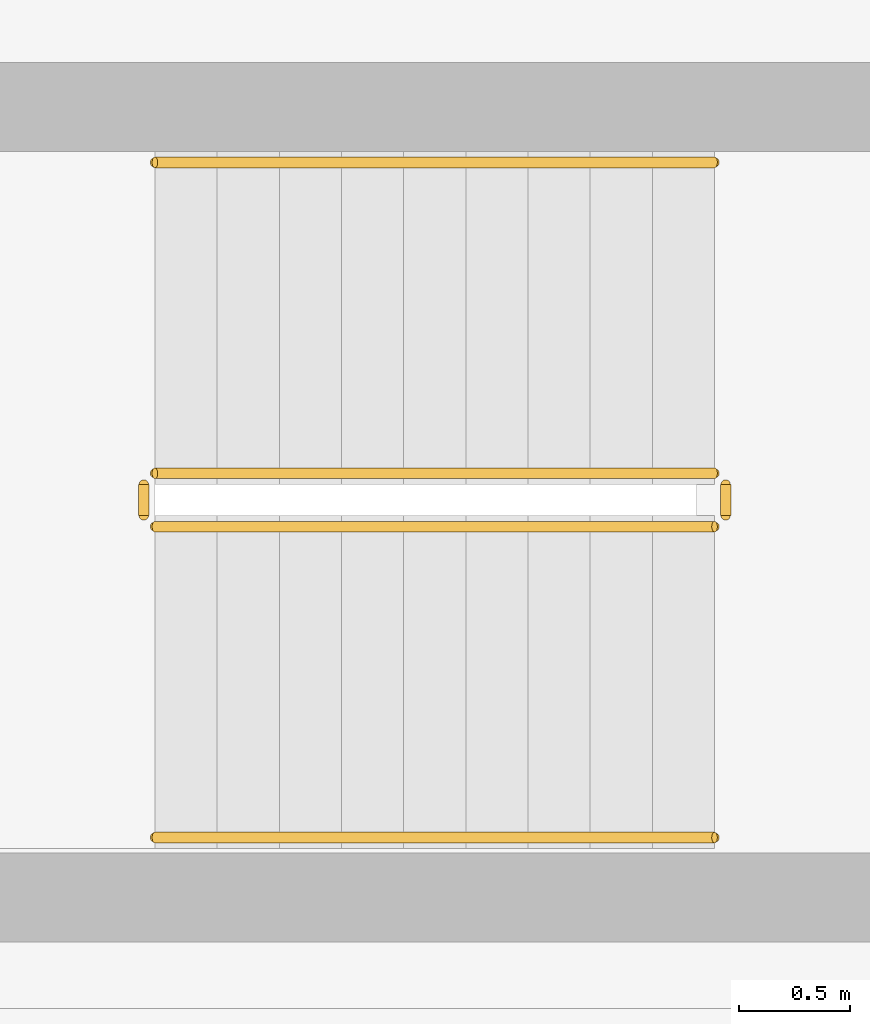
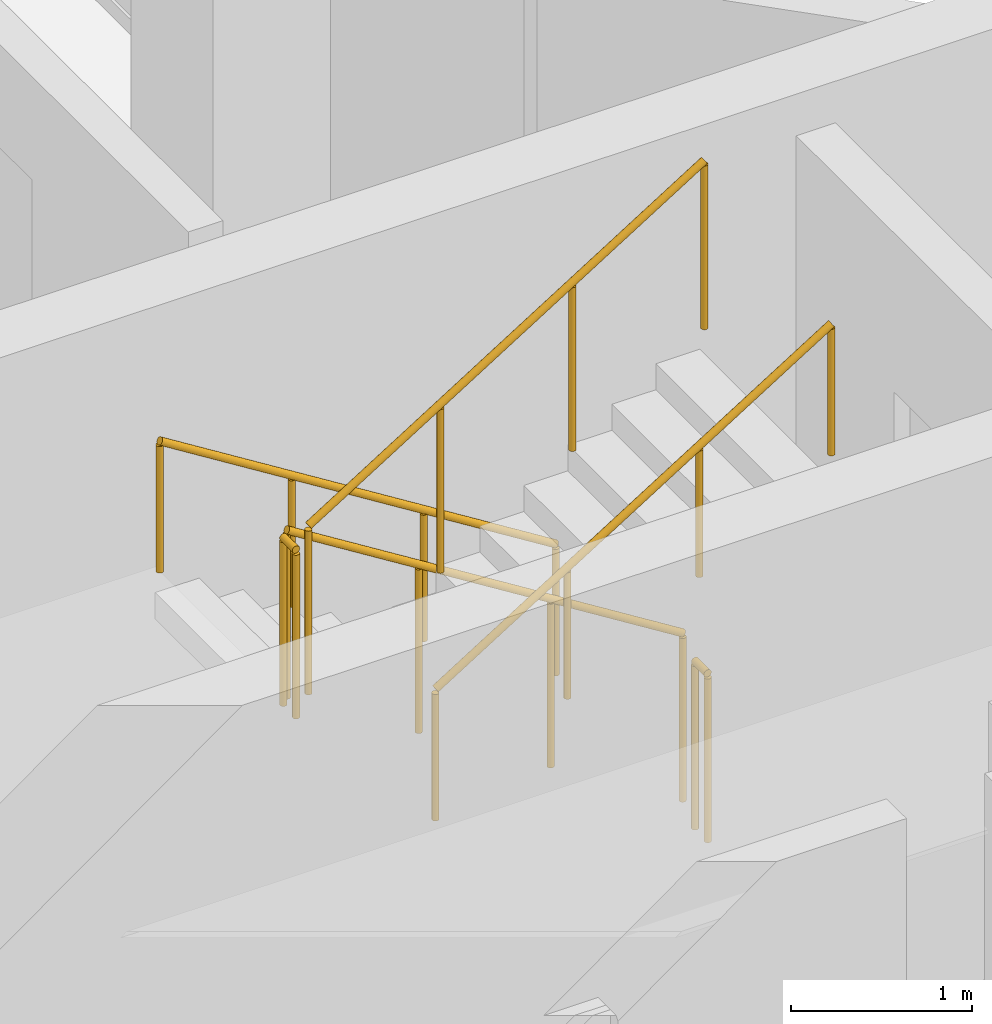
# One storey, part 11 of 14: 6 railings.
"""IFC4 building model written with IfcOpenShell, lengths in metres."""

from ifc_helpers import new_model, si_unit, derived_unit, direction, frame, origin, origin_2d, place, context, subcontext, project, spatial, circle, extrude, material, type_object, element, save


model = new_model("IFC4")

# Units and contexts
model_context = context("Model", 3, precision=1e-05, world=origin(), true_north=direction((0.0, 1.0)))
body_context = subcontext(model_context, "Body", "Model", "MODEL_VIEW")
ifc_project = project(units=[si_unit("LENGTHUNIT", "METRE"), si_unit("AREAUNIT", "SQUARE_METRE"), si_unit("VOLUMEUNIT", "CUBIC_METRE"), si_unit("PLANEANGLEUNIT", "RADIAN"), si_unit("MASSUNIT", "GRAM", prefix="KILO"), derived_unit("THERMALTRANSMITTANCEUNIT", [(si_unit("POWERUNIT", "WATT"), 1), (si_unit("LENGTHUNIT", "METRE"), -2), (si_unit("THERMODYNAMICTEMPERATUREUNIT", "KELVIN"), -1)])], contexts=[model_context])

# Site, building, storey
site_placement = place(None, origin())
site = spatial("IfcSite", under=ifc_project, at=site_placement, CompositionType="ELEMENT")
building_placement = place(site_placement, origin())
building = spatial("IfcBuilding", under=site, at=building_placement, Name="Kivonza Crest Hotel", CompositionType="ELEMENT")
storey_placement = place(building_placement, frame((0.0, 0.0, 162.5)))
storey = spatial("IfcBuildingStorey", under=building, at=storey_placement, Name="L44", CompositionType="ELEMENT", Elevation=162.5)

# Railings
ifc_material_1 = material(Name="Brushed stainless steel handrail", Category="steel")
railing_type_1 = type_object("IfcRailingType", Name="RL-HAND-900", PredefinedType="HANDRAIL", material=ifc_material_1)
railing_1_placement = place(storey_placement, frame((12.239990234375, 16.949951171875, 0.175048828125)))
element("IfcRailing", 1, at=railing_1_placement, inside=storey, type_object=railing_type_1, Name="L44 ST-T1-S stair handrail 1", PredefinedType="HANDRAIL", context=body_context, shape_type="SweptSolid", body=[
    extrude(circle(Radius=0.02392578125, at=origin_2d()), frame((0.0, 0.0, 0.8759765625), z_axis=(-0.848007534815, 0.0, 0.529984170421), x_axis=(0.0, -1.0, 0.0)), (0.0, 0.0, 1.0), 2.9716796875),
    extrude(circle(Radius=0.02099609375, at=origin_2d()), origin(), (0.0, 0.0, 1.0), 0.851806640625),
    extrude(circle(Radius=0.02099609375, at=origin_2d()), frame((-0.840087890625, 0.0, 0.52490234375)), (0.0, 0.0, 1.0), 0.851806640625),
    extrude(circle(Radius=0.02099609375, at=origin_2d()), frame((-1.679931640625, 0.0, 1.050048828125)), (0.0, 0.0, 1.0), 0.851806640625),
    extrude(circle(Radius=0.02099609375, at=origin_2d()), frame((-2.52001953125, 0.0, 1.574951171875)), (0.0, 0.0, 1.0), 0.851806640625),
])
railing_2_placement = place(storey_placement, frame((9.719970703125, 13.909912109375, 1.925048828125)))
element("IfcRailing", 2, at=railing_2_placement, inside=storey, type_object=railing_type_1, Name="L44 ST-T1-S stair handrail 2", PredefinedType="HANDRAIL", context=body_context, shape_type="SweptSolid", body=[
    extrude(circle(Radius=0.02392578125, at=origin_2d()), frame((0.0, 0.0, 0.8759765625), z_axis=(0.848007534815, 0.0, 0.529984170421), x_axis=(0.0, 1.0, 0.0)), (0.0, 0.0, 1.0), 2.9716796875),
    extrude(circle(Radius=0.02099609375, at=origin_2d()), origin(), (0.0, 0.0, 1.0), 0.851806640625),
    extrude(circle(Radius=0.02099609375, at=origin_2d()), frame((0.840087890625, 0.0, 0.52490234375)), (0.0, 0.0, 1.0), 0.851806640625),
    extrude(circle(Radius=0.02099609375, at=origin_2d()), frame((1.679931640625, 0.0, 1.050048828125)), (0.0, 0.0, 1.0), 0.851806640625),
    extrude(circle(Radius=0.02099609375, at=origin_2d()), frame((2.52001953125, 0.0, 1.574951171875)), (0.0, 0.0, 1.0), 0.851806640625),
])
ifc_material_2 = material(Name="Painted steel balustrade", Category="steel")
railing_type_2 = type_object("IfcRailingType", Name="RL-STAIR-1150", PredefinedType="BALUSTRADE", material=ifc_material_2)
railing_3_placement = place(storey_placement, frame((12.239990234375, 15.550048828125, 0.175048828125)))
element("IfcRailing", 3, at=railing_3_placement, inside=storey, type_object=railing_type_2, Name="L44 ST-T1-S stair guard 1", PredefinedType="BALUSTRADE", context=body_context, shape_type="SweptSolid", body=[
    extrude(circle(Radius=0.02392578125, at=origin_2d()), frame((0.0, 0.0, 1.1259765625), z_axis=(-0.848007534815, 0.0, 0.529984170421), x_axis=(0.0, -1.0, 0.0)), (0.0, 0.0, 1.0), 2.9716796875),
    extrude(circle(Radius=0.02099609375, at=origin_2d()), origin(), (0.0, 0.0, 1.0), 1.101806640625),
    extrude(circle(Radius=0.02099609375, at=origin_2d()), frame((-0.840087890625, 0.0, 0.52490234375)), (0.0, 0.0, 1.0), 1.101806640625),
    extrude(circle(Radius=0.02099609375, at=origin_2d()), frame((-1.679931640625, 0.0, 1.050048828125)), (0.0, 0.0, 1.0), 1.101806640625),
    extrude(circle(Radius=0.02099609375, at=origin_2d()), frame((-2.52001953125, 0.0, 1.574951171875)), (0.0, 0.0, 1.0), 1.101806640625),
])
railing_4_placement = place(storey_placement, frame((9.669921875, 15.5, 1.75)))
element("IfcRailing", 4, at=railing_4_placement, inside=storey, type_object=railing_type_2, Name="L44 ST-T1-S stair guard 2", PredefinedType="BALUSTRADE", context=body_context, shape_type="SweptSolid", body=[
    extrude(circle(Radius=0.02392578125, at=origin_2d()), frame((0.0, 0.0, 1.1259765625), z_axis=(0.0, -1.0, 0.0), x_axis=(1.0, 0.0, 0.0)), (0.0, 0.0, 1.0), 0.139892578125),
    extrude(circle(Radius=0.02099609375, at=origin_2d()), origin(), (0.0, 0.0, 1.0), 1.101806640625),
    extrude(circle(Radius=0.02099609375, at=origin_2d()), frame((0.0, -0.139892578125, 0.0)), (0.0, 0.0, 1.0), 1.101806640625),
])
railing_5_placement = place(storey_placement, frame((9.719970703125, 15.31005859375, 1.925048828125)))
element("IfcRailing", 5, at=railing_5_placement, inside=storey, type_object=railing_type_2, Name="L44 ST-T1-S stair guard 3", PredefinedType="BALUSTRADE", context=body_context, shape_type="SweptSolid", body=[
    extrude(circle(Radius=0.02392578125, at=origin_2d()), frame((0.0, 0.0, 1.1259765625), z_axis=(0.848007534815, 0.0, 0.529984170421), x_axis=(0.0, 1.0, 0.0)), (0.0, 0.0, 1.0), 2.9716796875),
    extrude(circle(Radius=0.02099609375, at=origin_2d()), origin(), (0.0, 0.0, 1.0), 1.101806640625),
    extrude(circle(Radius=0.02099609375, at=origin_2d()), frame((0.840087890625, 0.0, 0.52490234375)), (0.0, 0.0, 1.0), 1.101806640625),
    extrude(circle(Radius=0.02099609375, at=origin_2d()), frame((1.679931640625, 0.0, 1.050048828125)), (0.0, 0.0, 1.0), 1.101806640625),
    extrude(circle(Radius=0.02099609375, at=origin_2d()), frame((2.52001953125, 0.0, 1.574951171875)), (0.0, 0.0, 1.0), 1.101806640625),
])
railing_6_placement = place(storey_placement, frame((12.2900390625, 15.5, 0.0)))
element("IfcRailing", 6, at=railing_6_placement, inside=storey, type_object=railing_type_2, Name="L44 ST-T1-S stair guard 4", PredefinedType="BALUSTRADE", context=body_context, shape_type="SweptSolid", body=[
    extrude(circle(Radius=0.02392578125, at=origin_2d()), frame((0.0, 0.0, 1.1259765625), z_axis=(0.0, -1.0, 0.0), x_axis=(1.0, 0.0, 0.0)), (0.0, 0.0, 1.0), 0.139892578125),
    extrude(circle(Radius=0.02099609375, at=origin_2d()), origin(), (0.0, 0.0, 1.0), 1.101806640625),
    extrude(circle(Radius=0.02099609375, at=origin_2d()), frame((0.0, -0.139892578125, 0.0)), (0.0, 0.0, 1.0), 1.101806640625),
])

save(model, "model.ifc")
